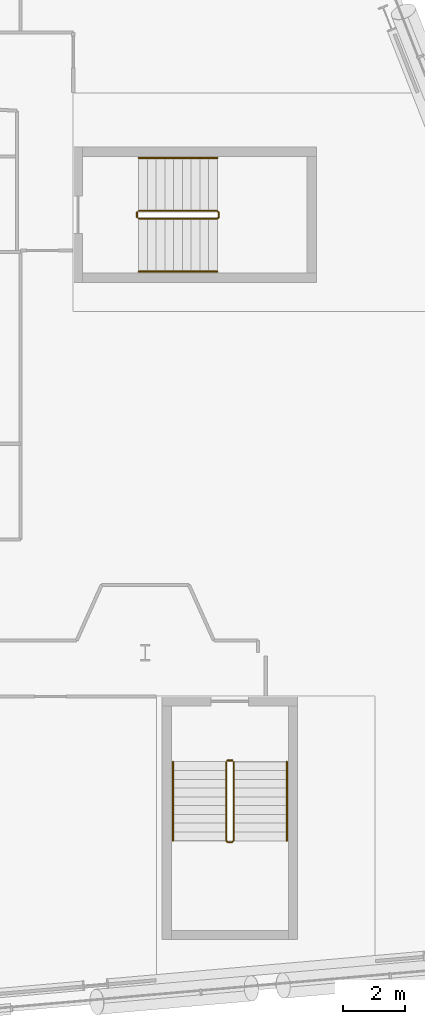
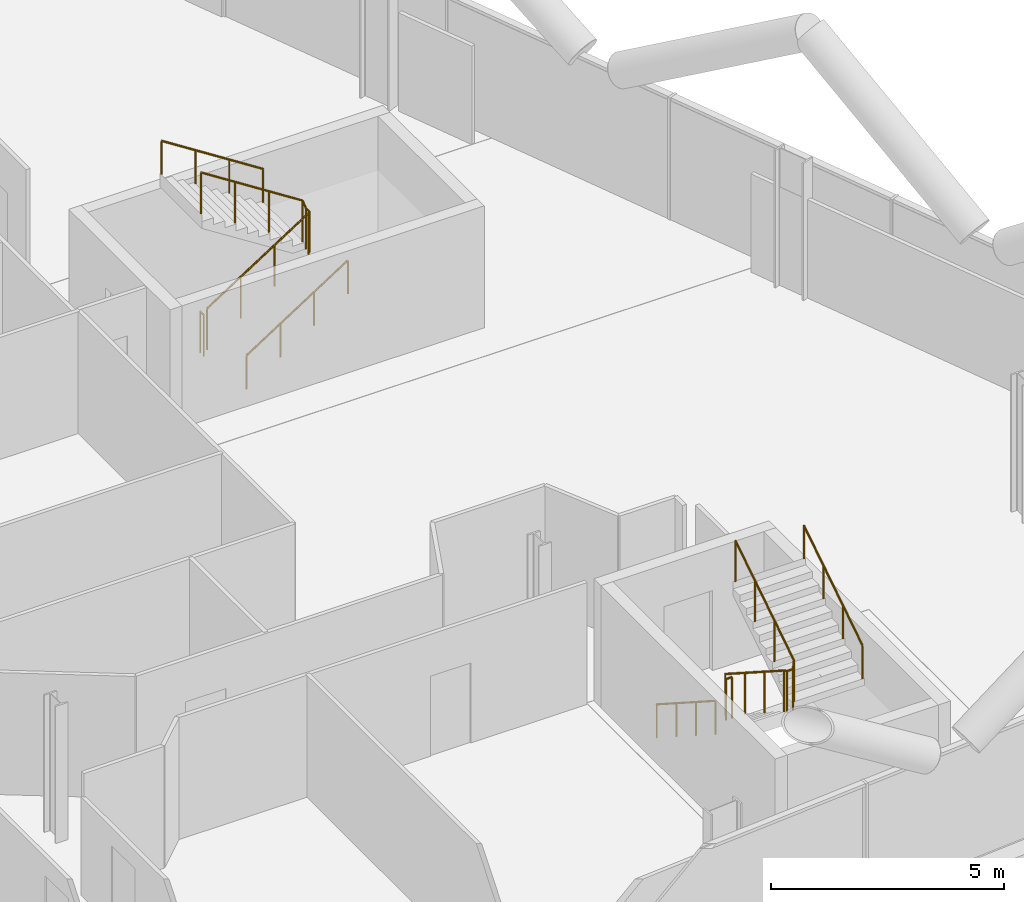
# One storey, part 27 of 27: 8 railings.
"""IFC4 building model written with IfcOpenShell, lengths in metres."""

from ifc_helpers import new_model, si_unit, direction, frame, origin, origin_2d, place, context, subcontext, project, spatial, circle, extrude, material, type_object, element, save


model = new_model("IFC4")

# Units and contexts
model_context = context("Model", 3, precision=1e-05, world=origin(), true_north=direction((0.0, 1.0)))
body_context = subcontext(model_context, "Body", "Model", "MODEL_VIEW")
ifc_project = project(units=[si_unit("LENGTHUNIT", "METRE"), si_unit("AREAUNIT", "SQUARE_METRE"), si_unit("VOLUMEUNIT", "CUBIC_METRE"), si_unit("PLANEANGLEUNIT", "RADIAN"), si_unit("MASSUNIT", "GRAM", prefix="KILO")], contexts=[model_context])

# Site, building, storey
site_placement = place(None, origin())
site = spatial("IfcSite", under=ifc_project, at=site_placement, CompositionType="ELEMENT")
building_placement = place(site_placement, origin())
building = spatial("IfcBuilding", under=site, at=building_placement, Name="Wharfspan Tower", CompositionType="ELEMENT")
storey_placement = place(building_placement, frame((0.0, 0.0, 118.300049)))
storey = spatial("IfcBuildingStorey", under=building, at=storey_placement, Name="L27", CompositionType="ELEMENT", Elevation=118.300049)

# Railings
ifc_material = material(Name="Steel S355J2", Category="steel")
railing_type_1 = type_object("IfcRailingType", Name="Stair guard 1100", PredefinedType="GUARDRAIL", material=ifc_material)
railing_1_placement = place(storey_placement, frame((74.591064, 7.994629, 0.179932)))
element("IfcRailing", 1, at=railing_1_placement, inside=storey, type_object=railing_type_1, Name="L27 ST5 stair guard 1", PredefinedType="GUARDRAIL", context=body_context, shape_type="SweptSolid", body=[
    extrude(circle(Radius=0.023926, at=origin_2d()), frame((0.0, 0.0, 1.076172), z_axis=(0.0, -0.841163, 0.540782), x_axis=(1.0, 0.0, 0.0)), (0.0, 0.0, 1.0), 2.99585),
    extrude(circle(Radius=0.023926, at=origin_2d()), frame((0.0, -2.52002, 2.696289), z_axis=(0.707107, -0.707107, 0.0), x_axis=(0.707107, 0.707107, 0.0)), (0.0, 0.0, 1.0), 0.070801),
    extrude(circle(Radius=0.023926, at=origin_2d()), frame((0.050049, -2.570068, 2.696289), z_axis=(1.0, 0.0, 0.0), x_axis=(0.0, 1.0, 0.0)), (0.0, 0.0, 1.0), 0.149902),
    extrude(circle(Radius=0.023926, at=origin_2d()), frame((0.199951, -2.570068, 2.696289), z_axis=(0.258848, 0.258848, 0.930589), x_axis=(-0.707107, 0.707107, 0.0)), (0.0, 0.0, 1.0), 0.193359),
    extrude(circle(Radius=0.023926, at=origin_2d()), frame((0.25, -2.52002, 2.875977), z_axis=(0.0, 0.8412, 0.540725), x_axis=(-1.0, 0.0, 0.0)), (0.0, 0.0, 1.0), 2.99585),
    extrude(circle(Radius=0.020996, at=origin_2d()), origin(), (0.0, 0.0, 1.0), 1.052002),
    extrude(circle(Radius=0.020996, at=origin_2d()), frame((0.0, -0.840088, 0.540039)), (0.0, 0.0, 1.0), 1.052002),
    extrude(circle(Radius=0.020996, at=origin_2d()), frame((0.0, -1.679932, 1.080078)), (0.0, 0.0, 1.0), 1.052002),
    extrude(circle(Radius=0.020996, at=origin_2d()), frame((0.0, -2.52002, 1.620117)), (0.0, 0.0, 1.0), 1.052002),
    extrude(circle(Radius=0.020996, at=origin_2d()), frame((0.050049, -2.570068, 1.620117)), (0.0, 0.0, 1.0), 1.052002),
    extrude(circle(Radius=0.020996, at=origin_2d()), frame((0.199951, -2.570068, 1.620117)), (0.0, 0.0, 1.0), 1.052002),
    extrude(circle(Radius=0.020996, at=origin_2d()), frame((0.25, -2.52002, 1.800049)), (0.0, 0.0, 1.0), 1.052002),
    extrude(circle(Radius=0.020996, at=origin_2d()), frame((0.25, -1.679932, 2.340088)), (0.0, 0.0, 1.0), 1.052002),
    extrude(circle(Radius=0.020996, at=origin_2d()), frame((0.25, -0.840088, 2.879883)), (0.0, 0.0, 1.0), 1.052002),
    extrude(circle(Radius=0.020996, at=origin_2d()), frame((0.25, 0.0, 3.419922)), (0.0, 0.0, 1.0), 1.052002),
])
railing_2_placement = place(storey_placement, frame((74.641113, 8.044678, 0.0)))
element("IfcRailing", 2, at=railing_2_placement, inside=storey, type_object=railing_type_1, Name="L27 ST5 stair guard 2", PredefinedType="GUARDRAIL", context=body_context, shape_type="SweptSolid", body=[
    extrude(circle(Radius=0.023926, at=origin_2d()), frame((0.0, 0.0, 1.076172), z_axis=(1.0, 0.0, 0.0), x_axis=(0.0, 1.0, 0.0)), (0.0, 0.0, 1.0), 0.149902),
    extrude(circle(Radius=0.020996, at=origin_2d()), origin(), (0.0, 0.0, 1.0), 1.052002),
    extrude(circle(Radius=0.020996, at=origin_2d()), frame((0.149902, 0.0, 0.0)), (0.0, 0.0, 1.0), 1.052002),
])
railing_3_placement = place(storey_placement, frame((71.790283, 25.425049, 0.179932)))
element("IfcRailing", 3, at=railing_3_placement, inside=storey, type_object=railing_type_1, Name="L27 ST6 stair guard 1", PredefinedType="GUARDRAIL", context=body_context, shape_type="SweptSolid", body=[
    extrude(circle(Radius=0.023926, at=origin_2d()), frame((0.0, 0.0, 1.076172), z_axis=(0.841163, 0.0, 0.540782), x_axis=(0.0, 1.0, 0.0)), (0.0, 0.0, 1.0), 2.99585),
    extrude(circle(Radius=0.023926, at=origin_2d()), frame((2.52002, 0.0, 2.696289), z_axis=(0.707107, 0.707107, 0.0), x_axis=(-0.707107, 0.707107, 0.0)), (0.0, 0.0, 1.0), 0.070801),
    extrude(circle(Radius=0.023926, at=origin_2d()), frame((2.570068, 0.050049, 2.696289), z_axis=(0.0, 1.0, 0.0), x_axis=(-1.0, 0.0, 0.0)), (0.0, 0.0, 1.0), 0.149902),
    extrude(circle(Radius=0.023926, at=origin_2d()), frame((2.570068, 0.199951, 2.696289), z_axis=(-0.258848, 0.258848, 0.930589), x_axis=(-0.707107, -0.707107, 0.0)), (0.0, 0.0, 1.0), 0.193359),
    extrude(circle(Radius=0.023926, at=origin_2d()), frame((2.52002, 0.25, 2.875977), z_axis=(-0.8412, 0.0, 0.540725), x_axis=(0.0, -1.0, 0.0)), (0.0, 0.0, 1.0), 2.99585),
    extrude(circle(Radius=0.020996, at=origin_2d()), origin(), (0.0, 0.0, 1.0), 1.052002),
    extrude(circle(Radius=0.020996, at=origin_2d()), frame((0.840088, 0.0, 0.540039)), (0.0, 0.0, 1.0), 1.052002),
    extrude(circle(Radius=0.020996, at=origin_2d()), frame((1.679932, 0.0, 1.080078)), (0.0, 0.0, 1.0), 1.052002),
    extrude(circle(Radius=0.020996, at=origin_2d()), frame((2.52002, 0.0, 1.620117)), (0.0, 0.0, 1.0), 1.052002),
    extrude(circle(Radius=0.020996, at=origin_2d()), frame((2.570068, 0.050049, 1.620117)), (0.0, 0.0, 1.0), 1.052002),
    extrude(circle(Radius=0.020996, at=origin_2d()), frame((2.570068, 0.199951, 1.620117)), (0.0, 0.0, 1.0), 1.052002),
    extrude(circle(Radius=0.020996, at=origin_2d()), frame((2.52002, 0.25, 1.800049)), (0.0, 0.0, 1.0), 1.052002),
    extrude(circle(Radius=0.020996, at=origin_2d()), frame((1.679932, 0.25, 2.340088)), (0.0, 0.0, 1.0), 1.052002),
    extrude(circle(Radius=0.020996, at=origin_2d()), frame((0.840088, 0.25, 2.879883)), (0.0, 0.0, 1.0), 1.052002),
    extrude(circle(Radius=0.020996, at=origin_2d()), frame((0.0, 0.25, 3.419922)), (0.0, 0.0, 1.0), 1.052002),
])
railing_4_placement = place(storey_placement, frame((71.740479, 25.475098, 0.0)))
element("IfcRailing", 4, at=railing_4_placement, inside=storey, type_object=railing_type_1, Name="L27 ST6 stair guard 2", PredefinedType="GUARDRAIL", context=body_context, shape_type="SweptSolid", body=[
    extrude(circle(Radius=0.023926, at=origin_2d()), frame((0.0, 0.0, 1.076172), z_axis=(0.0, 1.0, 0.0), x_axis=(-1.0, 0.0, 0.0)), (0.0, 0.0, 1.0), 0.149902),
    extrude(circle(Radius=0.020996, at=origin_2d()), origin(), (0.0, 0.0, 1.0), 1.052002),
    extrude(circle(Radius=0.020996, at=origin_2d()), frame((0.0, 0.149902, 0.0)), (0.0, 0.0, 1.0), 1.052002),
])
railing_type_2 = type_object("IfcRailingType", Name="Stair handrail 900", PredefinedType="HANDRAIL", material=ifc_material)
railing_5_placement = place(storey_placement, frame((72.891113, 7.994629, 0.179932)))
element("IfcRailing", 5, at=railing_5_placement, inside=storey, type_object=railing_type_2, Name="L27 ST5 stair handrail 1", PredefinedType="HANDRAIL", context=body_context, shape_type="SweptSolid", body=[
    extrude(circle(Radius=0.023926, at=origin_2d()), frame((0.0, 0.0, 0.875977), z_axis=(0.0, -0.841163, 0.540782), x_axis=(1.0, 0.0, 0.0)), (0.0, 0.0, 1.0), 2.99585),
    extrude(circle(Radius=0.020996, at=origin_2d()), origin(), (0.0, 0.0, 1.0), 0.851807),
    extrude(circle(Radius=0.020996, at=origin_2d()), frame((0.0, -0.840088, 0.540039)), (0.0, 0.0, 1.0), 0.851807),
    extrude(circle(Radius=0.020996, at=origin_2d()), frame((0.0, -1.679932, 1.080078)), (0.0, 0.0, 1.0), 0.851807),
    extrude(circle(Radius=0.020996, at=origin_2d()), frame((0.0, -2.52002, 1.620117)), (0.0, 0.0, 1.0), 0.851807),
])
railing_6_placement = place(storey_placement, frame((76.541016, 5.474609, 1.97998)))
element("IfcRailing", 6, at=railing_6_placement, inside=storey, type_object=railing_type_2, Name="L27 ST5 stair handrail 2", PredefinedType="HANDRAIL", context=body_context, shape_type="SweptSolid", body=[
    extrude(circle(Radius=0.023926, at=origin_2d()), frame((0.0, 0.0, 0.875977), z_axis=(0.0, 0.8412, 0.540725), x_axis=(-1.0, 0.0, 0.0)), (0.0, 0.0, 1.0), 2.99585),
    extrude(circle(Radius=0.020996, at=origin_2d()), origin(), (0.0, 0.0, 1.0), 0.851807),
    extrude(circle(Radius=0.020996, at=origin_2d()), frame((0.0, 0.840088, 0.540039)), (0.0, 0.0, 1.0), 0.851807),
    extrude(circle(Radius=0.020996, at=origin_2d()), frame((0.0, 1.679932, 1.079834)), (0.0, 0.0, 1.0), 0.851807),
    extrude(circle(Radius=0.020996, at=origin_2d()), frame((0.0, 2.52002, 1.619873)), (0.0, 0.0, 1.0), 0.851807),
])
railing_7_placement = place(storey_placement, frame((71.790283, 23.725098, 0.179932)))
element("IfcRailing", 7, at=railing_7_placement, inside=storey, type_object=railing_type_2, Name="L27 ST6 stair handrail 1", PredefinedType="HANDRAIL", context=body_context, shape_type="SweptSolid", body=[
    extrude(circle(Radius=0.023926, at=origin_2d()), frame((0.0, 0.0, 0.875977), z_axis=(0.841163, 0.0, 0.540782), x_axis=(0.0, 1.0, 0.0)), (0.0, 0.0, 1.0), 2.99585),
    extrude(circle(Radius=0.020996, at=origin_2d()), origin(), (0.0, 0.0, 1.0), 0.851807),
    extrude(circle(Radius=0.020996, at=origin_2d()), frame((0.840088, 0.0, 0.540039)), (0.0, 0.0, 1.0), 0.851807),
    extrude(circle(Radius=0.020996, at=origin_2d()), frame((1.679932, 0.0, 1.080078)), (0.0, 0.0, 1.0), 0.851807),
    extrude(circle(Radius=0.020996, at=origin_2d()), frame((2.52002, 0.0, 1.620117)), (0.0, 0.0, 1.0), 0.851807),
])
railing_8_placement = place(storey_placement, frame((74.310303, 27.375, 1.97998)))
element("IfcRailing", 8, at=railing_8_placement, inside=storey, type_object=railing_type_2, Name="L27 ST6 stair handrail 2", PredefinedType="HANDRAIL", context=body_context, shape_type="SweptSolid", body=[
    extrude(circle(Radius=0.023926, at=origin_2d()), frame((0.0, 0.0, 0.875977), z_axis=(-0.8412, 0.0, 0.540725), x_axis=(0.0, -1.0, 0.0)), (0.0, 0.0, 1.0), 2.99585),
    extrude(circle(Radius=0.020996, at=origin_2d()), origin(), (0.0, 0.0, 1.0), 0.851807),
    extrude(circle(Radius=0.020996, at=origin_2d()), frame((-0.840088, 0.0, 0.540039)), (0.0, 0.0, 1.0), 0.851807),
    extrude(circle(Radius=0.020996, at=origin_2d()), frame((-1.679932, 0.0, 1.079834)), (0.0, 0.0, 1.0), 0.851807),
    extrude(circle(Radius=0.020996, at=origin_2d()), frame((-2.52002, 0.0, 1.619873)), (0.0, 0.0, 1.0), 0.851807),
])

save(model, "model.ifc")
